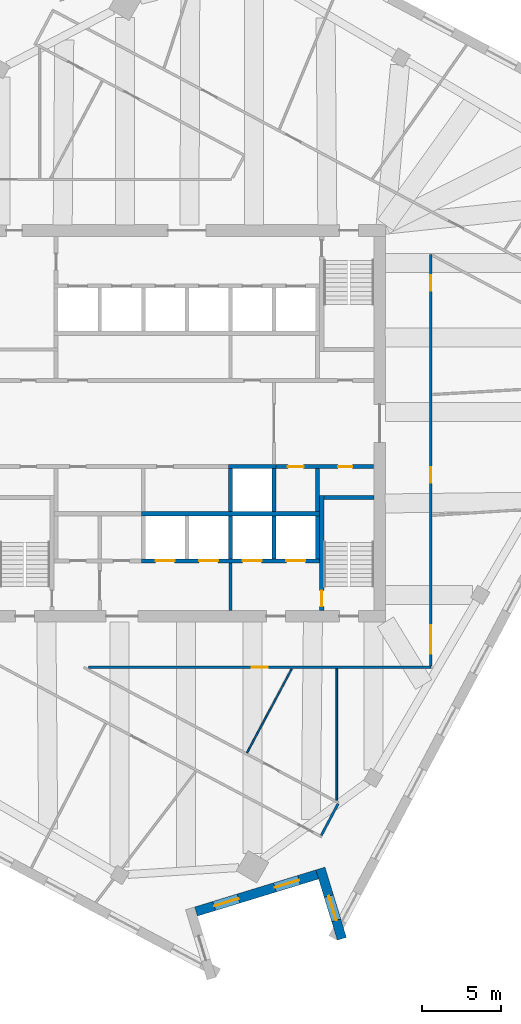
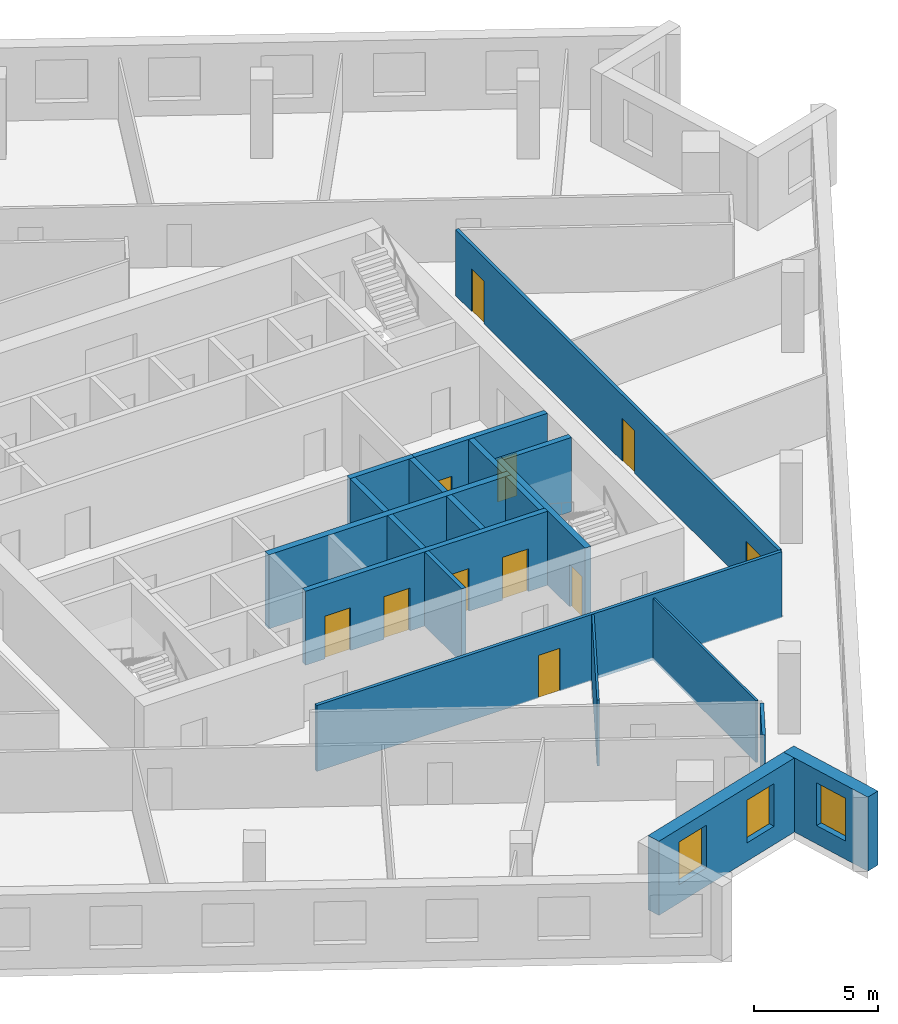
# One storey, part 7 of 13: 20 walls, 11 doors, 3 windows, 14 openings.
"""IFC4 building model written with IfcOpenShell, lengths in metres."""

import ifcopenshell
import ifcopenshell.guid

model = None  # the IFC model being written
_history = None  # IfcOwnerHistory: only IFC2X3 demands one
_inside = {}  # id of a spatial element -> (the spatial element, [elements in it])
_under = {}  # id of a project, library or spatial element -> (it, [spatial elements below it])
_declared = {}  # id of a project -> (the project, [libraries it declares])
_typed = {}  # id of a type object -> (the type object, [elements of that type])
_made_of = {}  # id of a material, layer set ... -> (it, [elements and type objects made of it])


def new_model(schema):
    """Start an empty IFC model of exactly this schema.

    Asked for "IFC4X3", IfcOpenShell would pick the latest addendum, in which some entities
    have other attributes; the version numbers below select the first issue.
    IFC2X3 requires an IfcOwnerHistory on every rooted entity: one is made here for all.
    """
    global model, _history
    if schema == "IFC4X3":
        model = ifcopenshell.file(schema_version=(4, 3, 0, 0))
    else:
        model = ifcopenshell.file(schema=schema)
    _inside.clear()
    _under.clear()
    _declared.clear()
    _typed.clear()
    _made_of.clear()
    _history = None
    if model.schema == "IFC2X3":
        org = make("IfcOrganization", Name="unknown")
        user = make(
            "IfcPersonAndOrganization",
            ThePerson=make("IfcPerson", FamilyName="unknown"),
            TheOrganization=org,
        )
        app = make(
            "IfcApplication",
            ApplicationDeveloper=org,
            Version="unknown",
            ApplicationFullName="unknown",
            ApplicationIdentifier="unknown",
        )
        _history = make(
            "IfcOwnerHistory",
            OwningUser=user,
            OwningApplication=app,
            ChangeAction="ADDED",
            CreationDate=0,
        )
    return model


def make(cls, **values):
    """One entity of the class cls with the attributes given. An attribute that is None is left unset."""
    return model.create_entity(
        cls, **{name: value for name, value in values.items() if value is not None}
    )


def rooted(cls, **values):
    """An entity with a GlobalId (a new one), such as an element, a storey or a relation."""
    return make(cls, GlobalId=ifcopenshell.guid.new(), OwnerHistory=_history, **values)


def si_unit(unit_type, name, prefix=None):
    """IfcSIUnit, for example si_unit("LENGTHUNIT", "METRE", prefix="MILLI")."""
    return make("IfcSIUnit", UnitType=unit_type, Prefix=prefix, Name=name)


def assignment(units):
    """IfcUnitAssignment: the units of a project."""
    return None if units is None else make("IfcUnitAssignment", Units=units)


def point(xyz):
    """IfcCartesianPoint."""
    return None if xyz is None else make("IfcCartesianPoint", Coordinates=xyz)


def direction(xyz):
    """IfcDirection."""
    return None if xyz is None else make("IfcDirection", DirectionRatios=xyz)


def frame(location, z_axis=None, x_axis=None):
    """IfcAxis2Placement3D, a coordinate frame: its origin and axes. An axis left out is left unset."""
    return make(
        "IfcAxis2Placement3D",
        Location=point(location),
        Axis=direction(z_axis),
        RefDirection=direction(x_axis),
    )


def frame_2d(location, x_axis=None):
    """IfcAxis2Placement2D, a coordinate frame in the plane: its origin and x axis."""
    return make(
        "IfcAxis2Placement2D", Location=point(location), RefDirection=direction(x_axis)
    )


def origin():
    """The frame at (0, 0, 0) with its axes left unset."""
    return frame((0.0, 0.0, 0.0))


def place(relative_to, where):
    """IfcLocalPlacement: puts the frame where relative to a parent placement (None: the world)."""
    return make(
        "IfcLocalPlacement", PlacementRelTo=relative_to, RelativePlacement=where
    )


def context(
    kind, dimensions, precision=None, world=None, true_north=None, identifier=None
):
    """IfcGeometricRepresentationContext, for example the 3D "Model" context."""
    return make(
        "IfcGeometricRepresentationContext",
        ContextIdentifier=identifier,
        ContextType=kind,
        CoordinateSpaceDimension=dimensions,
        Precision=precision,
        WorldCoordinateSystem=world,
        TrueNorth=true_north,
    )


def subcontext(parent, identifier, kind, view, scale=None):
    """IfcGeometricRepresentationSubContext, for example "Body" below "Model"."""
    return make(
        "IfcGeometricRepresentationSubContext",
        ContextIdentifier=identifier,
        ContextType=kind,
        ParentContext=parent,
        TargetScale=scale,
        TargetView=view,
    )


def project(units=None, contexts=None):
    """IfcProject with its units and contexts."""
    return rooted(
        "IfcProject",
        Name="project",
        RepresentationContexts=contexts,
        UnitsInContext=assignment(units),
    )


def spatial(cls, under=None, at=None, **own):
    """A site, building, storey or space (cls), placed at a placement, below another one or the project."""
    s = rooted(cls, ObjectPlacement=at, **own)
    if under is not None:
        _under.setdefault(under.id(), (under, []))[1].append(s)
    return s


def profile(cls, at=None, kind="AREA", **sizes):
    """A parametric profile (cls). Its sizes go by their IFC names, for example OverallWidth=200.0."""
    return make(cls, ProfileType=kind, Position=at, **sizes)


def rectangle(**sizes):
    """IfcRectangleProfileDef."""
    return profile("IfcRectangleProfileDef", **sizes)


def extrude(swept, where, along, depth):
    """IfcExtrudedAreaSolid: the profile swept, set in the frame where, extruded along a direction by depth."""
    return make(
        "IfcExtrudedAreaSolid",
        SweptArea=swept,
        Position=where,
        ExtrudedDirection=direction(along),
        Depth=depth,
    )


def shape(context_of_items, identifier, shape_type, items):
    """IfcShapeRepresentation: the items that make up one representation, for example the "Body"."""
    return make(
        "IfcShapeRepresentation",
        ContextOfItems=context_of_items,
        RepresentationIdentifier=identifier,
        RepresentationType=shape_type,
        Items=items,
    )


def material(Name=None, Category=None):
    """IfcMaterial."""
    return make("IfcMaterial", Name=Name, Category=Category)


def layer(
    of_material, thickness, ventilated=None, Name=None, Category=None, Priority=None
):
    """IfcMaterialLayer: one layer of a wall or slab, of a material (None: an air gap)."""
    return make(
        "IfcMaterialLayer",
        Material=of_material,
        LayerThickness=thickness,
        IsVentilated=ventilated,
        Name=Name,
        Category=Category,
        Priority=Priority,
    )


def layer_set(layers, Name=None):
    """IfcMaterialLayerSet."""
    return make("IfcMaterialLayerSet", MaterialLayers=layers, LayerSetName=Name)


def made_of(thing, what):
    """Note that an element or type object is made of a material, layer set ...; save() writes the relation."""
    if what is not None:
        _made_of.setdefault(what.id(), (what, []))[1].append(thing)
    return thing


def type_object(cls, material=None, **own):
    """A type object (cls), such as IfcWallType, which elements share."""
    return made_of(rooted(cls, **own), material)


def element(
    cls,
    number,
    at=None,
    inside=None,
    cuts=None,
    type_object=None,
    material=None,
    context=None,
    identifier="Body",
    shape_type=None,
    held_by="IfcProductDefinitionShape",
    body=None,
    shapes=None,
    **own,
):
    """One element of the class cls, such as IfcWall. Its Tag is "e" and its number.

    at: its placement. inside: the storey or other place that contains it. cuts: it is an
    opening in that element (IfcRelVoidsElement). A single representation is given by context,
    identifier, shape_type and body (its items); several are given by shapes. held_by: the class
    of the entity that holds the representations. save() writes the other relations.
    """
    e = rooted(cls, Tag="e%d" % number, ObjectPlacement=at, **own)
    if body is not None:
        shapes = [shape(context, identifier, shape_type, body)]
    if shapes is not None:
        e.Representation = make(held_by, Representations=shapes)
    if inside is not None:
        _inside.setdefault(inside.id(), (inside, []))[1].append(e)
    if cuts is not None:
        rooted(
            "IfcRelVoidsElement", RelatingBuildingElement=cuts, RelatedOpeningElement=e
        )
    if type_object is not None:
        _typed.setdefault(type_object.id(), (type_object, []))[1].append(e)
    return made_of(e, material)


def fill(opening, filler):
    """IfcRelFillsElement: the door or window that sits in an opening."""
    return rooted(
        "IfcRelFillsElement",
        RelatingOpeningElement=opening,
        RelatedBuildingElement=filler,
    )


def aggregate(whole, parts):
    """IfcRelAggregates: a whole, such as a stair, and the parts it consists of."""
    return rooted("IfcRelAggregates", RelatingObject=whole, RelatedObjects=parts)


def save(model, path):
    """Write the relations noted so far, then the file.

    IfcRelAggregates (storeys below a building ...), IfcRelContainedInSpatialStructure (elements
    in a storey), IfcRelDefinesByType, IfcRelAssociatesMaterial and IfcRelDeclares: one each for
    every whole, place, type object, material and project.
    """
    for whole, parts in _under.values():
        aggregate(whole, parts)
    for where, things in _inside.values():
        rooted(
            "IfcRelContainedInSpatialStructure",
            RelatedElements=things,
            RelatingStructure=where,
        )
    for kind, things in _typed.values():
        rooted("IfcRelDefinesByType", RelatedObjects=things, RelatingType=kind)
    for what, things in _made_of.values():
        rooted("IfcRelAssociatesMaterial", RelatedObjects=things, RelatingMaterial=what)
    for by, libraries in _declared.values():
        rooted("IfcRelDeclares", RelatingContext=by, RelatedDefinitions=libraries)
    model.write(path)


model = new_model("IFC4")

# Units and contexts
model_context = context("Model", 3, precision=1e-05, world=origin(), true_north=direction((0.0, 1.0)))
body_context = subcontext(model_context, "Body", "Model", "MODEL_VIEW")
ifc_project = project(units=[si_unit("LENGTHUNIT", "METRE"), si_unit("AREAUNIT", "SQUARE_METRE"), si_unit("VOLUMEUNIT", "CUBIC_METRE"), si_unit("PLANEANGLEUNIT", "RADIAN"), si_unit("MASSUNIT", "GRAM", prefix="KILO")], contexts=[model_context])

# Site, building, storey
site_placement = place(None, origin())
site = spatial("IfcSite", under=ifc_project, at=site_placement, CompositionType="ELEMENT")
building_placement = place(site_placement, origin())
building = spatial("IfcBuilding", under=site, at=building_placement, Name="Dilmun Exchange Tower", CompositionType="ELEMENT")
storey_placement = place(building_placement, frame((0.0, 0.0, 274.89990234375)))
storey = spatial("IfcBuildingStorey", under=building, at=storey_placement, Name="L65", CompositionType="ELEMENT", Elevation=274.89990234375)

# Walls
ifc_material_1 = material(Name="Concrete C40/50", Category="concrete")
ifc_layer_1 = layer(ifc_material_1, 0.199951171875)
ifc_layer_set_1 = layer_set([ifc_layer_1], Name="Concrete C40/50")
wall_type_1 = type_object("IfcWallType", Name="Core partition wall 200", PredefinedType="PARTITIONING", material=ifc_layer_set_1)
wall_1_placement = place(storey_placement, frame((2.75, -11.794921875, 0.0), z_axis=(0.0, 0.0, 1.0), x_axis=(0.0, 1.0, 0.0)))
element("IfcWall", 1, at=wall_1_placement, inside=storey, type_object=wall_type_1, Name="L65 core partition wall 02", PredefinedType="PARTITIONING", context=body_context, shape_type="SweptSolid", body=[
    extrude(rectangle(XDim=2.989990234375, YDim=0.199951171875, at=frame_2d((1.4951171875, 0.0))), origin(), (0.0, 0.0, 1.0), 3.64013671875),
])
ifc_layer_2 = layer(ifc_material_1, 0.25)
ifc_layer_set_2 = layer_set([ifc_layer_2], Name="Concrete C40/50")
wall_type_2 = type_object("IfcWallType", Name="Core partition wall 250", PredefinedType="PARTITIONING", material=ifc_layer_set_2)
wall_2_placement = place(storey_placement, frame((8.25, -5.544921875, 0.0), z_axis=(0.0, 0.0, 1.0), x_axis=(0.0, 1.0, 0.0)))
element("IfcWall", 2, at=wall_2_placement, inside=storey, type_object=wall_type_2, Name="L65 core partition wall 09", PredefinedType="PARTITIONING", context=body_context, shape_type="SweptSolid", body=[
    extrude(rectangle(XDim=2.68994140625, YDim=0.25, at=frame_2d((1.344970703125, 0.0))), origin(), (0.0, 0.0, 1.0), 3.64013671875),
])

# Wall, openings, doors
wall_3_placement = place(storey_placement, frame((5.6298828125, -2.72509765625, 0.0), z_axis=(0.0, 0.0, 1.0), x_axis=(1.0, 0.0, 0.0)))
wall_3 = element("IfcWall", 3, at=wall_3_placement, inside=storey, type_object=wall_type_2, Name="L65 core partition wall 11", PredefinedType="PARTITIONING", context=body_context, shape_type="SweptSolid", body=[
    extrude(rectangle(XDim=6.1650390625, YDim=0.25, at=frame_2d((3.08251953125, 0.0))), origin(), (0.0, 0.0, 1.0), 3.64013671875),
])
opening_1_placement = place(wall_3_placement, frame((0.7451171875, 0.0, 0.0)))
opening_1 = element("IfcOpeningElement", 4, at=opening_1_placement, cuts=wall_3, Name="Opening CD4", PredefinedType="OPENING", context=body_context, shape_type="SweptSolid", body=[
    extrude(rectangle(XDim=1.0, YDim=2.10009765625, at=frame_2d((0.5, 1.050048828125))), frame((0.0, 0.135009765625, 0.0), z_axis=(0.0, -1.0, 0.0), x_axis=(1.0, 0.0, 0.0)), (0.0, 0.0, 1.0), 0.27001953125),
])
opening_2_placement = place(wall_3_placement, frame((3.919921875, 0.0, 0.0)))
opening_2 = element("IfcOpeningElement", 5, at=opening_2_placement, cuts=wall_3, Name="Opening CD6", PredefinedType="OPENING", context=body_context, shape_type="SweptSolid", body=[
    extrude(rectangle(XDim=0.89990234375, YDim=2.10009765625, at=frame_2d((0.449951171875, 1.050048828125))), frame((0.0, 0.135009765625, 0.0), z_axis=(0.0, -1.0, 0.0), x_axis=(1.0, 0.0, 0.0)), (0.0, 0.0, 1.0), 0.27001953125),
])
ifc_material_2 = material(Name="Fire-rated steel door set", Category="steel")
door_type_1 = type_object("IfcDoorType", Name="Core room door 1000x2100", OperationType="SINGLE_SWING_LEFT", PredefinedType="DOOR", material=ifc_material_2)
door_1_placement = place(opening_1_placement, origin())
door_1 = element("IfcDoor", 6, at=door_1_placement, inside=storey, type_object=door_type_1, Name="L65 door Cleaners' store", OperationType="SINGLE_SWING_RIGHT", OverallHeight=2.10009765625, OverallWidth=1.0, PredefinedType="DOOR", context=body_context, shape_type="SweptSolid", body=[
    extrude(rectangle(XDim=1.0, YDim=2.10009765625, at=frame_2d((0.5, 1.050048828125))), frame((0.0, 0.02490234375, 0.0), z_axis=(0.0, -1.0, 0.0), x_axis=(1.0, 0.0, 0.0)), (0.0, 0.0, 1.0), 0.050048828125),
])
fill(opening_1, door_1)
door_type_2 = type_object("IfcDoorType", Name="Core room door 900x2100", OperationType="SINGLE_SWING_LEFT", PredefinedType="DOOR", material=ifc_material_2)
door_2_placement = place(opening_2_placement, origin())
door_2 = element("IfcDoor", 7, at=door_2_placement, inside=storey, type_object=door_type_2, Name="L65 door Comms riser", OperationType="SINGLE_SWING_RIGHT", OverallHeight=2.10009765625, OverallWidth=0.89990234375, PredefinedType="DOOR", context=body_context, shape_type="SweptSolid", body=[
    extrude(rectangle(XDim=0.89990234375, YDim=2.10009765625, at=frame_2d((0.449951171875, 1.050048828125))), frame((0.0, 0.02490234375, 0.0), z_axis=(0.0, -1.0, 0.0), x_axis=(1.0, 0.0, 0.0)), (0.0, 0.0, 1.0), 0.050048828125),
])
fill(opening_2, door_2)

# Wall, opening, door
ifc_material_3 = material(Name="Corridor wall 150")
ifc_layer_3 = layer(ifc_material_3, 0.14990234375)
ifc_layer_set_3 = layer_set([ifc_layer_3], Name="Corridor wall 150")
wall_type_3 = type_object("IfcWallType", Name="Corridor wall 150", PredefinedType="PARTITIONING", material=ifc_layer_set_3)
wall_4_placement = place(storey_placement, frame((-6.2001953125, -15.39990234375, 0.0), z_axis=(0.0, 0.0, 1.0), x_axis=(1.0, 0.0, 0.0)))
wall_4 = element("IfcWall", 8, at=wall_4_placement, inside=storey, type_object=wall_type_3, Name="Corridor wall", PredefinedType="PARTITIONING", context=body_context, shape_type="SweptSolid", body=[
    extrude(rectangle(XDim=21.60009765625, YDim=0.14990234375, at=frame_2d((10.800048828125, 0.0))), origin(), (0.0, 0.0, 1.0), 3.239990234375),
])
opening_3_placement = place(wall_4_placement, frame((10.300048828125, 0.0, 0.0)))
opening_3 = element("IfcOpeningElement", 9, at=opening_3_placement, cuts=wall_4, Name="Opening TF65-D11", PredefinedType="OPENING", context=body_context, shape_type="SweptSolid", body=[
    extrude(rectangle(XDim=1.0, YDim=2.10009765625, at=frame_2d((0.5, 1.050048828125))), frame((0.0, 0.0849609375, 0.0), z_axis=(0.0, -1.0, 0.0), x_axis=(1.0, 0.0, 0.0)), (0.0, 0.0, 1.0), 0.169921875),
])
ifc_material_4 = material(Name="Fire door 1000 x 2100")
door_type_3 = type_object("IfcDoorType", Name="Fire door 1000 x 2100", OperationType="NOTDEFINED", PredefinedType="DOOR", material=ifc_material_4)
door_3_placement = place(opening_3_placement, frame((1.0, 0.0, 0.0), z_axis=(0.0, 0.0, 1.0), x_axis=(-1.0, 0.0, 0.0)))
door_3 = element("IfcDoor", 10, at=door_3_placement, inside=storey, type_object=door_type_3, Name="Door TF65-D11", OperationType="SINGLE_SWING_LEFT", OverallHeight=2.10009765625, OverallWidth=1.0, PredefinedType="DOOR", context=body_context, shape_type="SweptSolid", body=[
    extrude(rectangle(XDim=1.0, YDim=2.10009765625, at=frame_2d((0.5, 1.050048828125))), frame((0.0, 0.02490234375, 0.0), z_axis=(0.0, -1.0, 0.0), x_axis=(1.0, 0.0, 0.0)), (0.0, 0.0, 1.0), 0.050048828125),
])
fill(opening_3, door_3)

# Wall
wall_5_placement = place(storey_placement, frame((8.486083984375, -26.001708984375, 0.0), z_axis=(0.0, 0.0, 1.0), x_axis=(0.469596777995, 0.882881003361, 0.0)))
element("IfcWall", 11, at=wall_5_placement, inside=storey, type_object=wall_type_3, Name="Corridor wall", PredefinedType="PARTITIONING", context=body_context, shape_type="SweptSolid", body=[
    extrude(rectangle(XDim=2.25, YDim=0.14990234375, at=frame_2d((1.125, 0.0))), origin(), (0.0, 0.0, 1.0), 3.0400390625),
])

# Wall, openings, doors
wall_6_placement = place(storey_placement, frame((15.39990234375, -15.324951171875, 0.0), z_axis=(0.0, 0.0, 1.0), x_axis=(0.0, 1.0, 0.0)))
wall_6 = element("IfcWall", 12, at=wall_6_placement, inside=storey, type_object=wall_type_3, Name="Corridor wall", PredefinedType="PARTITIONING", context=body_context, shape_type="SweptSolid", body=[
    extrude(rectangle(XDim=25.992919921875, YDim=0.14990234375, at=frame_2d((12.99658203125, 0.0))), origin(), (0.0, 0.0, 1.0), 3.239990234375),
])
opening_4_placement = place(wall_6_placement, frame((0.800048828125, 0.0, 0.0)))
opening_4 = element("IfcOpeningElement", 13, at=opening_4_placement, cuts=wall_6, Name="Opening TF65-D14", PredefinedType="OPENING", context=body_context, shape_type="SweptSolid", body=[
    extrude(rectangle(XDim=1.800048828125, YDim=2.10009765625, at=frame_2d((0.89990234375, 1.050048828125))), frame((0.0, 0.0849609375, 0.0), z_axis=(0.0, -1.0, 0.0), x_axis=(1.0, 0.0, 0.0)), (0.0, 0.0, 1.0), 0.169921875),
])
opening_5_placement = place(wall_6_placement, frame((11.566650390625, 0.0, 0.0)))
opening_5 = element("IfcOpeningElement", 14, at=opening_5_placement, cuts=wall_6, Name="Opening TF65-D18", PredefinedType="OPENING", context=body_context, shape_type="SweptSolid", body=[
    extrude(rectangle(XDim=1.0, YDim=2.10009765625, at=frame_2d((0.5, 1.050048828125))), frame((0.0, 0.0849609375, 0.0), z_axis=(0.0, -1.0, 0.0), x_axis=(1.0, 0.0, 0.0)), (0.0, 0.0, 1.0), 0.169921875),
])
opening_6_placement = place(wall_6_placement, frame((23.696044921875, 0.0, 0.0)))
opening_6 = element("IfcOpeningElement", 15, at=opening_6_placement, cuts=wall_6, Name="Opening TF65-D19", PredefinedType="OPENING", context=body_context, shape_type="SweptSolid", body=[
    extrude(rectangle(XDim=1.0, YDim=2.10009765625, at=frame_2d((0.5, 1.050048828125))), frame((0.0, 0.0849609375, 0.0), z_axis=(0.0, -1.0, 0.0), x_axis=(1.0, 0.0, 0.0)), (0.0, 0.0, 1.0), 0.169921875),
])
door_4_placement = place(opening_5_placement, frame((1.0, 0.0, 0.0), z_axis=(0.0, 0.0, 1.0), x_axis=(-1.0, 0.0, 0.0)))
door_4 = element("IfcDoor", 16, at=door_4_placement, inside=storey, type_object=door_type_3, Name="Door TF65-D18", OperationType="SINGLE_SWING_RIGHT", OverallHeight=2.10009765625, OverallWidth=1.0, PredefinedType="DOOR", context=body_context, shape_type="SweptSolid", body=[
    extrude(rectangle(XDim=1.0, YDim=2.10009765625, at=frame_2d((0.5, 1.050048828125))), frame((0.0, 0.02490234375, 0.0), z_axis=(0.0, -1.0, 0.0), x_axis=(1.0, 0.0, 0.0)), (0.0, 0.0, 1.0), 0.050048828125),
])
fill(opening_5, door_4)
door_5_placement = place(opening_6_placement, frame((1.0, 0.0, 0.0), z_axis=(0.0, 0.0, 1.0), x_axis=(-1.0, 0.0, 0.0)))
door_5 = element("IfcDoor", 17, at=door_5_placement, inside=storey, type_object=door_type_3, Name="Door TF65-D19", OperationType="SINGLE_SWING_LEFT", OverallHeight=2.10009765625, OverallWidth=1.0, PredefinedType="DOOR", context=body_context, shape_type="SweptSolid", body=[
    extrude(rectangle(XDim=1.0, YDim=2.10009765625, at=frame_2d((0.5, 1.050048828125))), frame((0.0, 0.02490234375, 0.0), z_axis=(0.0, -1.0, 0.0), x_axis=(1.0, 0.0, 0.0)), (0.0, 0.0, 1.0), 0.050048828125),
])
fill(opening_6, door_5)
ifc_material_5 = material(Name="Fire door pair 1800 x 2100")
door_type_4 = type_object("IfcDoorType", Name="Fire door pair 1800 x 2100", OperationType="NOTDEFINED", PredefinedType="DOOR", material=ifc_material_5)
door_6_placement = place(opening_4_placement, frame((1.800048828125, 0.0, 0.0), z_axis=(0.0, 0.0, 1.0), x_axis=(-1.0, 0.0, 0.0)))
door_6 = element("IfcDoor", 18, at=door_6_placement, inside=storey, type_object=door_type_4, Name="Door TF65-D14", OperationType="DOUBLE_DOOR_SINGLE_SWING", OverallHeight=2.10009765625, OverallWidth=1.800048828125, PredefinedType="DOOR", context=body_context, shape_type="SweptSolid", body=[
    extrude(rectangle(XDim=1.800048828125, YDim=2.10009765625, at=frame_2d((0.89990234375, 1.050048828125))), frame((0.0, 0.02490234375, 0.0), z_axis=(0.0, -1.0, 0.0), x_axis=(1.0, 0.0, 0.0)), (0.0, 0.0, 1.0), 0.050048828125),
])
fill(opening_4, door_6)

# Walls
ifc_layer_4 = layer(ifc_material_1, 0.300048828125)
ifc_layer_set_4 = layer_set([ifc_layer_4], Name="Concrete C40/50")
wall_type_4 = type_object("IfcWallType", Name="Lift shaft shared wall 300", PredefinedType="SOLIDWALL", material=ifc_layer_set_4)
wall_7_placement = place(storey_placement, frame((-2.875, -5.699951171875, 0.0), z_axis=(0.0, 0.0, 1.0), x_axis=(1.0, 0.0, 0.0)))
element("IfcWall", 19, at=wall_7_placement, inside=storey, type_object=wall_type_4, Name="L65 lift shaft rear wall S", PredefinedType="SOLIDWALL", context=body_context, shape_type="SweptSolid", body=[
    extrude(rectangle(XDim=11.25, YDim=0.300048828125, at=frame_2d((5.625, 0.0))), origin(), (0.0, 0.0, 1.0), 3.64013671875),
])
ifc_layer_5 = layer(ifc_material_1, 0.25)
ifc_layer_set_5 = layer_set([ifc_layer_5], Name="Concrete C40/50")
wall_type_5 = type_object("IfcWallType", Name="Lift shaft wall 250", PredefinedType="SOLIDWALL", material=ifc_layer_set_5)
wall_8_placement = place(storey_placement, frame((2.625, -2.72509765625, 0.0), z_axis=(0.0, 0.0, 1.0), x_axis=(1.0, 0.0, 0.0)))
element("IfcWall", 20, at=wall_8_placement, inside=storey, type_object=wall_type_5, Name="L65 lift shaft front wall S1", PredefinedType="SOLIDWALL", context=body_context, shape_type="SweptSolid", body=[
    extrude(rectangle(XDim=3.0, YDim=0.25, at=frame_2d((1.5, 0.0))), origin(), (0.0, 0.0, 1.0), 3.64013671875),
])
for number, where, z_axis, x_axis, name in (
    (21, (2.75, -5.550048828125, 0.0), (0.0, 0.0, 1.0), (0.0, 1.0, 0.0), "L65 lift shaft divider S14"),
    (22, (5.5, -5.550048828125, 0.0), (0.0, 0.0, 1.0), (0.0, 1.0, 0.0), "L65 lift shaft divider S15"),
):
    element("IfcWall", number, at=place(storey_placement, frame(where, z_axis=z_axis, x_axis=x_axis)), inside=storey, type_object=wall_type_5, Name=name, PredefinedType="SOLIDWALL", context=body_context, shape_type="SweptSolid", body=[
        extrude(rectangle(XDim=2.699951171875, YDim=0.25, at=frame_2d((1.35009765625, 0.0))), origin(), (0.0, 0.0, 1.0), 3.64013671875),
    ])

# Wall, openings, doors
wall_9_placement = place(storey_placement, frame((-2.875, -8.675048828125, 0.0), z_axis=(0.0, 0.0, 1.0), x_axis=(1.0, 0.0, 0.0)))
wall_9 = element("IfcWall", 23, at=wall_9_placement, inside=storey, type_object=wall_type_5, Name="L65 lift shaft front wall S2", PredefinedType="SOLIDWALL", context=body_context, shape_type="SweptSolid", body=[
    extrude(rectangle(XDim=11.25, YDim=0.25, at=frame_2d((5.625, 0.0))), origin(), (0.0, 0.0, 1.0), 3.64013671875),
])
opening_7_placement = place(wall_9_placement, frame((0.89990234375, 0.0, 0.0)))
opening_7 = element("IfcOpeningElement", 24, at=opening_7_placement, cuts=wall_9, Name="Opening LD", PredefinedType="OPENING", context=body_context, shape_type="SweptSolid", body=[
    extrude(rectangle(XDim=1.199951171875, YDim=2.10009765625, at=frame_2d((0.60009765625, 1.050048828125))), frame((0.0, 0.135009765625, 0.0), z_axis=(0.0, -1.0, 0.0), x_axis=(1.0, 0.0, 0.0)), (0.0, 0.0, 1.0), 0.27001953125),
])
opening_8_placement = place(wall_9_placement, frame((3.64990234375, 0.0, 0.0)))
opening_8 = element("IfcOpeningElement", 25, at=opening_8_placement, cuts=wall_9, Name="Opening LD", PredefinedType="OPENING", context=body_context, shape_type="SweptSolid", body=[
    extrude(rectangle(XDim=1.199951171875, YDim=2.10009765625, at=frame_2d((0.60009765625, 1.050048828125))), frame((0.0, 0.135009765625, 0.0), z_axis=(0.0, -1.0, 0.0), x_axis=(1.0, 0.0, 0.0)), (0.0, 0.0, 1.0), 0.27001953125),
])
opening_9_placement = place(wall_9_placement, frame((6.39990234375, 0.0, 0.0)))
opening_9 = element("IfcOpeningElement", 26, at=opening_9_placement, cuts=wall_9, Name="Opening LD", PredefinedType="OPENING", context=body_context, shape_type="SweptSolid", body=[
    extrude(rectangle(XDim=1.199951171875, YDim=2.10009765625, at=frame_2d((0.60009765625, 1.050048828125))), frame((0.0, 0.135009765625, 0.0), z_axis=(0.0, -1.0, 0.0), x_axis=(1.0, 0.0, 0.0)), (0.0, 0.0, 1.0), 0.27001953125),
])
opening_10_placement = place(wall_9_placement, frame((9.14990234375, 0.0, 0.0)))
opening_10 = element("IfcOpeningElement", 27, at=opening_10_placement, cuts=wall_9, Name="Opening LD", PredefinedType="OPENING", context=body_context, shape_type="SweptSolid", body=[
    extrude(rectangle(XDim=1.199951171875, YDim=2.10009765625, at=frame_2d((0.60009765625, 1.050048828125))), frame((0.0, 0.135009765625, 0.0), z_axis=(0.0, -1.0, 0.0), x_axis=(1.0, 0.0, 0.0)), (0.0, 0.0, 1.0), 0.27001953125),
])
door_type_5 = type_object("IfcDoorType", Name="Lift landing door 1200x2100", OperationType="DOUBLE_DOOR_SLIDING", PredefinedType="DOOR", material=ifc_material_2)
door_7_placement = place(opening_7_placement, origin())
door_7 = element("IfcDoor", 28, at=door_7_placement, inside=storey, type_object=door_type_5, Name="L65 landing door SV1", OperationType="DOUBLE_DOOR_SLIDING", OverallHeight=2.10009765625, OverallWidth=1.199951171875, PredefinedType="DOOR", context=body_context, shape_type="SweptSolid", body=[
    extrude(rectangle(XDim=1.199951171875, YDim=2.10009765625, at=frame_2d((0.60009765625, 1.050048828125))), frame((0.0, 0.02490234375, 0.0), z_axis=(0.0, -1.0, 0.0), x_axis=(1.0, 0.0, 0.0)), (0.0, 0.0, 1.0), 0.050048828125),
])
fill(opening_7, door_7)
door_8_placement = place(opening_8_placement, origin())
door_8 = element("IfcDoor", 29, at=door_8_placement, inside=storey, type_object=door_type_5, Name="L65 landing door SV2", OperationType="DOUBLE_DOOR_SLIDING", OverallHeight=2.10009765625, OverallWidth=1.199951171875, PredefinedType="DOOR", context=body_context, shape_type="SweptSolid", body=[
    extrude(rectangle(XDim=1.199951171875, YDim=2.10009765625, at=frame_2d((0.60009765625, 1.050048828125))), frame((0.0, 0.02490234375, 0.0), z_axis=(0.0, -1.0, 0.0), x_axis=(1.0, 0.0, 0.0)), (0.0, 0.0, 1.0), 0.050048828125),
])
fill(opening_8, door_8)
door_9_placement = place(opening_9_placement, origin())
door_9 = element("IfcDoor", 30, at=door_9_placement, inside=storey, type_object=door_type_5, Name="L65 landing door FF1", OperationType="DOUBLE_DOOR_SLIDING", OverallHeight=2.10009765625, OverallWidth=1.199951171875, PredefinedType="DOOR", context=body_context, shape_type="SweptSolid", body=[
    extrude(rectangle(XDim=1.199951171875, YDim=2.10009765625, at=frame_2d((0.60009765625, 1.050048828125))), frame((0.0, 0.02490234375, 0.0), z_axis=(0.0, -1.0, 0.0), x_axis=(1.0, 0.0, 0.0)), (0.0, 0.0, 1.0), 0.050048828125),
])
fill(opening_9, door_9)
door_10_placement = place(opening_10_placement, origin())
door_10 = element("IfcDoor", 31, at=door_10_placement, inside=storey, type_object=door_type_5, Name="L65 landing door FF2", OperationType="DOUBLE_DOOR_SLIDING", OverallHeight=2.10009765625, OverallWidth=1.199951171875, PredefinedType="DOOR", context=body_context, shape_type="SweptSolid", body=[
    extrude(rectangle(XDim=1.199951171875, YDim=2.10009765625, at=frame_2d((0.60009765625, 1.050048828125))), frame((0.0, 0.02490234375, 0.0), z_axis=(0.0, -1.0, 0.0), x_axis=(1.0, 0.0, 0.0)), (0.0, 0.0, 1.0), 0.050048828125),
])
fill(opening_10, door_10)

# Walls
for number, where, z_axis, x_axis, name in (
    (32, (2.75, -8.550048828125, 0.0), (0.0, 0.0, 1.0), (0.0, 1.0, 0.0), "L65 lift shaft divider S24"),
    (33, (5.5, -8.550048828125, 0.0), (0.0, 0.0, 1.0), (0.0, 1.0, 0.0), "L65 lift shaft divider S25"),
    (34, (8.25, -8.550048828125, 0.0), (0.0, 0.0, 1.0), (0.0, 1.0, 0.0), "L65 lift shaft divider S26"),
):
    element("IfcWall", number, at=place(storey_placement, frame(where, z_axis=z_axis, x_axis=x_axis)), inside=storey, type_object=wall_type_5, Name=name, PredefinedType="SOLIDWALL", context=body_context, shape_type="SweptSolid", body=[
        extrude(rectangle(XDim=2.699951171875, YDim=0.25, at=frame_2d((1.35009765625, 0.0))), origin(), (0.0, 0.0, 1.0), 3.64013671875),
    ])
ifc_material_6 = material(Name="Partition 100")
ifc_layer_6 = layer(ifc_material_6, 0.10009765625)
ifc_layer_set_6 = layer_set([ifc_layer_6], Name="Partition 100")
wall_type_6 = type_object("IfcWallType", Name="Partition 100", PredefinedType="PARTITIONING", material=ifc_layer_set_6)
wall_10_placement = place(storey_placement, frame((3.797119140625, -20.790771484375, 0.0), z_axis=(0.0, 0.0, 1.0), x_axis=(0.469539343426, 0.882911549916, 0.0)))
element("IfcWall", 35, at=wall_10_placement, inside=storey, type_object=wall_type_6, Name="Partition", PredefinedType="PARTITIONING", context=body_context, shape_type="SweptSolid", body=[
    extrude(rectangle(XDim=5.994140625, YDim=0.10009765625, at=frame_2d((2.9970703125, 0.0))), origin(), (0.0, 0.0, 1.0), 3.239990234375),
])
wall_11_placement = place(storey_placement, frame((9.4619140625, -23.775390625, 0.0), z_axis=(0.0, 0.0, 1.0), x_axis=(0.0, 1.0, 0.0)))
element("IfcWall", 36, at=wall_11_placement, inside=storey, type_object=wall_type_6, Name="Partition", PredefinedType="PARTITIONING", context=body_context, shape_type="SweptSolid", body=[
    extrude(rectangle(XDim=8.30029296875, YDim=0.10009765625, at=frame_2d((4.150146484375, 0.0))), origin(), (0.0, 0.0, 1.0), 3.0400390625),
])

# Wall, openings, windows
ifc_material_7 = material(Name="Precast concrete C50/60", Category="concrete")
ifc_layer_7 = layer(ifc_material_7, 0.60009765625)
ifc_layer_set_7 = layer_set([ifc_layer_7], Name="Precast concrete C50/60")
wall_type_7 = type_object("IfcWallType", Name="Precast stone-clad wall 600", PredefinedType="STANDARD", material=ifc_layer_set_7)
wall_12_placement = place(storey_placement, frame((0.579345703125, -30.81298828125, 0.0), z_axis=(0.0, 0.0, 1.0), x_axis=(0.95631057801, 0.292352660987, 0.0)))
wall_12 = element("IfcWall", 37, at=wall_12_placement, inside=storey, type_object=wall_type_7, Name="Facade wall L65-09", PredefinedType="STANDARD", context=body_context, shape_type="SweptSolid", body=[
    extrude(rectangle(XDim=8.000244140625, YDim=0.60009765625, at=frame_2d((4.0, 0.0))), origin(), (0.0, 0.0, 1.0), 3.64013671875),
])
opening_11_placement = place(wall_12_placement, frame((1.199951171875, 0.0, 0.89990234375)))
opening_11 = element("IfcOpeningElement", 38, at=opening_11_placement, cuts=wall_12, Name="Opening W160-210", PredefinedType="OPENING", context=body_context, shape_type="SweptSolid", body=[
    extrude(rectangle(XDim=1.60009765625, YDim=2.10009765625, at=frame_2d((0.800048828125, 1.050048828125))), frame((0.0, 0.31005859375, 0.0), z_axis=(0.0, -1.0, 0.0), x_axis=(1.0, 0.0, 0.0)), (0.0, 0.0, 1.0), 0.6201171875),
])
opening_12_placement = place(wall_12_placement, frame((5.199951171875, 0.0, 0.89990234375)))
opening_12 = element("IfcOpeningElement", 39, at=opening_12_placement, cuts=wall_12, Name="Opening W160-210", PredefinedType="OPENING", context=body_context, shape_type="SweptSolid", body=[
    extrude(rectangle(XDim=1.60009765625, YDim=2.10009765625, at=frame_2d((0.800048828125, 1.050048828125))), frame((0.0, 0.31005859375, 0.0), z_axis=(0.0, -1.0, 0.0), x_axis=(1.0, 0.0, 0.0)), (0.0, 0.0, 1.0), 0.6201171875),
])
ifc_material_8 = material(Name="Clear low-emissivity glass in aluminium frame", Category="aluminium")
window_type = type_object("IfcWindowType", Name="Punched window 1600 x 2100", PartitioningType="DOUBLE_PANEL_VERTICAL", PredefinedType="WINDOW", material=ifc_material_8)
window_1_placement = place(opening_11_placement, origin())
window_1 = element("IfcWindow", 40, at=window_1_placement, inside=storey, type_object=window_type, Name="Window 10.1", OverallHeight=2.10009765625, OverallWidth=1.60009765625, PartitioningType="SINGLE_PANEL", PredefinedType="WINDOW", context=body_context, shape_type="SweptSolid", body=[
    extrude(rectangle(XDim=1.60009765625, YDim=2.10009765625, at=frame_2d((0.800048828125, 1.050048828125))), frame((0.0, 0.030029296875, 0.0), z_axis=(0.0, -1.0, 0.0), x_axis=(1.0, 0.0, 0.0)), (0.0, 0.0, 1.0), 0.06005859375),
])
fill(opening_11, window_1)
window_2_placement = place(opening_12_placement, origin())
window_2 = element("IfcWindow", 41, at=window_2_placement, inside=storey, type_object=window_type, Name="Window 10.2", OverallHeight=2.10009765625, OverallWidth=1.60009765625, PartitioningType="SINGLE_PANEL", PredefinedType="WINDOW", context=body_context, shape_type="SweptSolid", body=[
    extrude(rectangle(XDim=1.60009765625, YDim=2.10009765625, at=frame_2d((0.800048828125, 1.050048828125))), frame((0.0, 0.030029296875, 0.0), z_axis=(0.0, -1.0, 0.0), x_axis=(1.0, 0.0, 0.0)), (0.0, 0.0, 1.0), 0.06005859375),
])
fill(opening_12, window_2)

# Wall, opening, window
wall_13_placement = place(storey_placement, frame((8.428955078125, -28.099609375, 0.0), z_axis=(0.0, 0.0, 1.0), x_axis=(0.2923643842, -0.956306994041, 0.0)))
wall_13 = element("IfcWall", 42, at=wall_13_placement, inside=storey, type_object=wall_type_7, Name="Facade wall L65-10", PredefinedType="STANDARD", context=body_context, shape_type="SweptSolid", body=[
    extrude(rectangle(XDim=4.635498046875, YDim=0.60009765625, at=frame_2d((2.31787109375, 0.0))), origin(), (0.0, 0.0, 1.0), 3.64013671875),
])
opening_13_placement = place(wall_13_placement, frame((1.81787109375, 0.0, 0.89990234375)))
opening_13 = element("IfcOpeningElement", 43, at=opening_13_placement, cuts=wall_13, Name="Opening W160-210", PredefinedType="OPENING", context=body_context, shape_type="SweptSolid", body=[
    extrude(rectangle(XDim=1.60009765625, YDim=2.10009765625, at=frame_2d((0.800048828125, 1.050048828125))), frame((0.0, 0.31005859375, 0.0), z_axis=(0.0, -1.0, 0.0), x_axis=(1.0, 0.0, 0.0)), (0.0, 0.0, 1.0), 0.6201171875),
])
window_3_placement = place(opening_13_placement, origin())
window_3 = element("IfcWindow", 44, at=window_3_placement, inside=storey, type_object=window_type, Name="Window 11.1", OverallHeight=2.10009765625, OverallWidth=1.60009765625, PartitioningType="SINGLE_PANEL", PredefinedType="WINDOW", context=body_context, shape_type="SweptSolid", body=[
    extrude(rectangle(XDim=1.60009765625, YDim=2.10009765625, at=frame_2d((0.800048828125, 1.050048828125))), frame((0.0, 0.030029296875, 0.0), z_axis=(0.0, -1.0, 0.0), x_axis=(1.0, 0.0, 0.0)), (0.0, 0.0, 1.0), 0.06005859375),
])
fill(opening_13, window_3)

# Wall
ifc_layer_8 = layer(ifc_material_1, 0.25)
ifc_layer_set_8 = layer_set([ifc_layer_8], Name="Concrete C40/50")
wall_type_8 = type_object("IfcWallType", Name="Stair end wall 250", PredefinedType="SOLIDWALL", material=ifc_layer_set_8)
wall_14_placement = place(storey_placement, frame((8.64990234375, -4.675048828125, 0.0), z_axis=(0.0, 0.0, 1.0), x_axis=(1.0, 0.0, 0.0)))
element("IfcWall", 45, at=wall_14_placement, inside=storey, type_object=wall_type_8, Name="L65 ST3 far wall", PredefinedType="SOLIDWALL", context=body_context, shape_type="SweptSolid", body=[
    extrude(rectangle(XDim=3.150146484375, YDim=0.25, at=frame_2d((1.5751953125, 0.0))), origin(), (0.0, 0.0, 1.0), 3.64013671875),
])

# Wall, opening, door
ifc_layer_9 = layer(ifc_material_1, 0.27490234375)
ifc_layer_set_9 = layer_set([ifc_layer_9], Name="Concrete C40/50")
wall_type_9 = type_object("IfcWallType", Name="Stair wall 275", PredefinedType="SOLIDWALL", material=ifc_layer_set_9)
wall_15_placement = place(storey_placement, frame((8.512451171875, -4.550048828125, 0.0), z_axis=(0.0, 0.0, 1.0), x_axis=(0.0, -1.0, 0.0)))
wall_15 = element("IfcWall", 46, at=wall_15_placement, inside=storey, type_object=wall_type_9, Name="L65 ST3 wall to lift block", PredefinedType="SOLIDWALL", context=body_context, shape_type="SweptSolid", body=[
    extrude(rectangle(XDim=7.25, YDim=0.27490234375, at=frame_2d((3.625, 0.0))), origin(), (0.0, 0.0, 1.0), 3.64013671875),
])
opening_14_placement = place(wall_15_placement, frame((6.0, 0.0, 0.0)))
opening_14 = element("IfcOpeningElement", 47, at=opening_14_placement, cuts=wall_15, Name="Opening CD4", PredefinedType="OPENING", context=body_context, shape_type="SweptSolid", body=[
    extrude(rectangle(XDim=1.0, YDim=2.10009765625, at=frame_2d((0.5, 1.050048828125))), frame((0.0, 0.1474609375, 0.0), z_axis=(0.0, -1.0, 0.0), x_axis=(1.0, 0.0, 0.0)), (0.0, 0.0, 1.0), 0.294921875),
])
door_11_placement = place(opening_14_placement, origin())
door_11 = element("IfcDoor", 48, at=door_11_placement, inside=storey, type_object=door_type_1, Name="L65 door ST3 from lobby", OperationType="SINGLE_SWING_LEFT", OverallHeight=2.10009765625, OverallWidth=1.0, PredefinedType="DOOR", context=body_context, shape_type="SweptSolid", body=[
    extrude(rectangle(XDim=1.0, YDim=2.10009765625, at=frame_2d((0.5, 1.050048828125))), frame((0.0, 0.02490234375, 0.0), z_axis=(0.0, -1.0, 0.0), x_axis=(1.0, 0.0, 0.0)), (0.0, 0.0, 1.0), 0.050048828125),
])
fill(opening_14, door_11)

save(model, "model.ifc")
